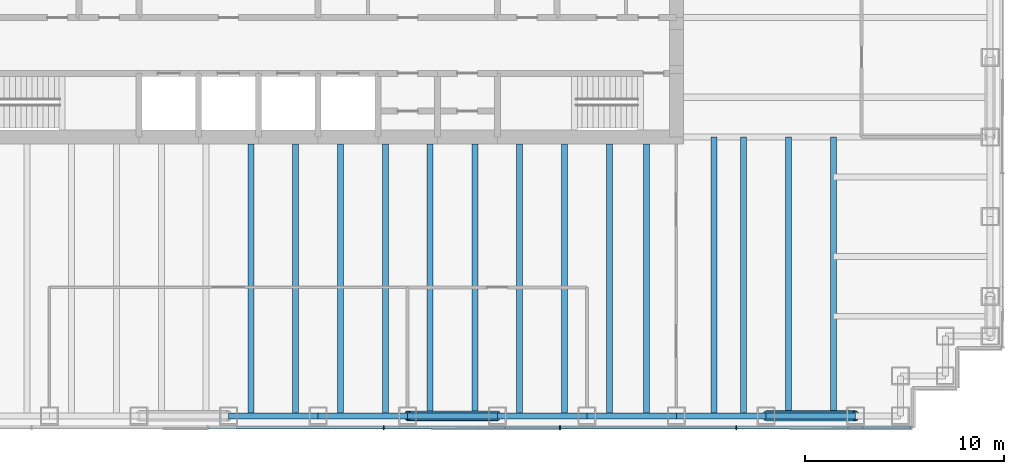
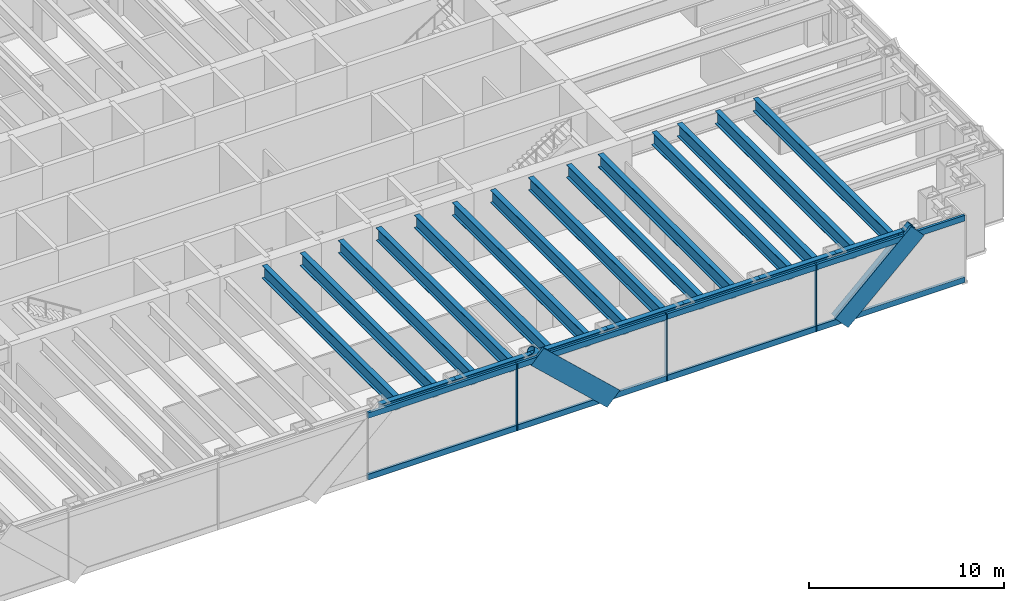
# One storey, part 4 of 15: 21 beams, 15 members, 1 element without a shape of its own.
"""IFC4 building model written with IfcOpenShell, lengths in metres."""

from ifc_helpers import new_model, si_unit, direction, frame, origin, origin_2d, place, context, subcontext, project, spatial, rectangle, hollow_circle, i_section, extrude, material, material_profile, profile_set, type_object, element, aggregate, save


model = new_model("IFC4")

# Units and contexts
model_context = context("Model", 3, precision=1e-05, world=origin(), true_north=direction((0.0, 1.0)))
body_context = subcontext(model_context, "Body", "Model", "MODEL_VIEW")
ifc_project = project(units=[si_unit("LENGTHUNIT", "METRE"), si_unit("AREAUNIT", "SQUARE_METRE"), si_unit("VOLUMEUNIT", "CUBIC_METRE"), si_unit("PLANEANGLEUNIT", "RADIAN"), si_unit("MASSUNIT", "GRAM", prefix="KILO")], contexts=[model_context])

# Site, building, storey
site_placement = place(None, origin())
site = spatial("IfcSite", under=ifc_project, at=site_placement, CompositionType="ELEMENT")
building_placement = place(site_placement, origin())
building = spatial("IfcBuilding", under=site, at=building_placement, Name="Rheinbord Bourse Tower", CompositionType="ELEMENT")
storey_placement = place(building_placement, frame((0.0, 0.0, 296.300048828125)))
storey = spatial("IfcBuildingStorey", under=building, at=storey_placement, Name="L67", CompositionType="ELEMENT", Elevation=296.300048828125)

# Curtain wall, members
ifc_material_1 = material(Name="Dark glass and black aluminium", Category="aluminium")
curtain_wall_type = type_object("IfcCurtainWallType", Name="CW3 DARK GLASS CURTAIN WALL", PredefinedType="USERDEFINED", material=ifc_material_1)
curtain_wall_placement = place(storey_placement, origin())
curtain_wall = element("IfcCurtainWall", 1, at=curtain_wall_placement, inside=storey, type_object=curtain_wall_type, Name="Curtain wall CW3 S L67", ObjectType="UNITISED CURTAIN WALL", PredefinedType="USERDEFINED")
ifc_material_2 = material(Name="Black anodised aluminium", Category="aluminium")
ifc_material_profile_1 = material_profile(ifc_material_2, rectangle(XDim=0.14990234375, YDim=1.10791015625, at=origin_2d()), Name="CW3 DIAGONAL MULLION 1108x150")
ifc_profile_set_1 = profile_set([ifc_material_profile_1], Name="Black anodised aluminium")
member_type_1 = type_object("IfcMemberType", Name="CW3 BLACK DIAGONAL MULLION", PredefinedType="USERDEFINED", material=ifc_profile_set_1)
member_1_placement = place(storey_placement, frame((58.5, 1.39990234375, 0.0), z_axis=(0.73105922506, 0.0, 0.682314010889), x_axis=(0.0, 1.0, 0.0)))
member_1 = element("IfcMember", 2, at=member_1_placement, type_object=member_type_1, Name="CW3 diagonal mullion a", ObjectType="DIAGONAL MULLION", PredefinedType="USERDEFINED", context=body_context, shape_type="SweptSolid", body=[
    extrude(rectangle(XDim=0.14990234375, YDim=1.10791015625, at=origin_2d()), origin(), (0.0, 0.0, 1.0), 6.155517578125),
])
member_2_placement = place(storey_placement, frame((45.0, 1.39990234375, 0.0), z_axis=(-0.73105922506, 0.0, 0.682314010889), x_axis=(0.0, -1.0, 0.0)))
member_2 = element("IfcMember", 3, at=member_2_placement, type_object=member_type_1, Name="CW3 diagonal mullion c", ObjectType="DIAGONAL MULLION", PredefinedType="USERDEFINED", context=body_context, shape_type="SweptSolid", body=[
    extrude(rectangle(XDim=0.14990234375, YDim=1.10791015625, at=origin_2d()), origin(), (0.0, 0.0, 1.0), 6.155517578125),
])
ifc_material_3 = material(Name="Black anodised aluminium", Category="aluminium")
ifc_material_profile_2 = material_profile(ifc_material_3, rectangle(XDim=0.199951171875, YDim=0.06494140625, at=origin_2d()), Name="CW3 MULLION 65x200")
ifc_profile_set_2 = profile_set([ifc_material_profile_2], Name="Black anodised aluminium")
member_type_2 = type_object("IfcMemberType", Name="CW3 BLACK MULLION", PredefinedType="MULLION", material=ifc_profile_set_2)
member_3_placement = place(storey_placement, frame((39.300048828125, 1.39990234375, 0.0), z_axis=(0.0, 0.0, 1.0), x_axis=(0.0, 1.0, 0.0)))
member_3 = element("IfcMember", 4, at=member_3_placement, type_object=member_type_2, Name="CW3 mullion 5", PredefinedType="MULLION", context=body_context, shape_type="SweptSolid", body=[
    extrude(rectangle(XDim=0.199951171875, YDim=0.06494140625, at=origin_2d()), origin(), (0.0, 0.0, 1.0), 4.199951171875),
])
member_4_placement = place(storey_placement, frame((48.14990234375, 1.39990234375, 0.0), z_axis=(0.0, 0.0, 1.0), x_axis=(0.0, 1.0, 0.0)))
member_4 = element("IfcMember", 5, at=member_4_placement, type_object=member_type_2, Name="CW3 mullion 6", PredefinedType="MULLION", context=body_context, shape_type="SweptSolid", body=[
    extrude(rectangle(XDim=0.199951171875, YDim=0.06494140625, at=origin_2d()), origin(), (0.0, 0.0, 1.0), 4.199951171875),
])
member_5_placement = place(storey_placement, frame((57.0, 1.39990234375, 0.0), z_axis=(0.0, 0.0, 1.0), x_axis=(0.0, 1.0, 0.0)))
member_5 = element("IfcMember", 6, at=member_5_placement, type_object=member_type_2, Name="CW3 mullion 7", PredefinedType="MULLION", context=body_context, shape_type="SweptSolid", body=[
    extrude(rectangle(XDim=0.199951171875, YDim=0.06494140625, at=origin_2d()), origin(), (0.0, 0.0, 1.0), 4.199951171875),
])
ifc_material_4 = material(Name="Black anodised aluminium", Category="aluminium")
ifc_material_profile_3 = material_profile(ifc_material_4, rectangle(XDim=0.14990234375, YDim=0.35009765625, at=origin_2d()), Name="CW3 TRANSOM 350x150")
ifc_profile_set_3 = profile_set([ifc_material_profile_3], Name="Black anodised aluminium")
member_type_3 = type_object("IfcMemberType", Name="CW3 BLACK TRANSOM", PredefinedType="USERDEFINED", material=ifc_profile_set_3)
member_6_placement = place(storey_placement, frame((30.482421875, 1.39990234375, 0.175048828125), z_axis=(1.0, 0.0, 0.0), x_axis=(0.0, 1.0, 0.0)))
member_6 = element("IfcMember", 7, at=member_6_placement, type_object=member_type_3, Name="CW3 transom 4.1", ObjectType="TRANSOM", PredefinedType="USERDEFINED", context=body_context, shape_type="SweptSolid", body=[
    extrude(rectangle(XDim=0.14990234375, YDim=0.35009765625, at=origin_2d()), origin(), (0.0, 0.0, 1.0), 8.78515625),
])
member_7_placement = place(storey_placement, frame((30.482421875, 1.39990234375, 4.02490234375), z_axis=(1.0, 0.0, 0.0), x_axis=(0.0, 1.0, 0.0)))
member_7 = element("IfcMember", 8, at=member_7_placement, type_object=member_type_3, Name="CW3 transom 4.2", ObjectType="TRANSOM", PredefinedType="USERDEFINED", context=body_context, shape_type="SweptSolid", body=[
    extrude(rectangle(XDim=0.14990234375, YDim=0.35009765625, at=origin_2d()), origin(), (0.0, 0.0, 1.0), 8.78515625),
])
member_8_placement = place(storey_placement, frame((39.33251953125, 1.39990234375, 0.175048828125), z_axis=(1.0, 0.0, 0.0), x_axis=(0.0, 1.0, 0.0)))
member_8 = element("IfcMember", 9, at=member_8_placement, type_object=member_type_3, Name="CW3 transom 5.1", ObjectType="TRANSOM", PredefinedType="USERDEFINED", context=body_context, shape_type="SweptSolid", body=[
    extrude(rectangle(XDim=0.14990234375, YDim=0.35009765625, at=origin_2d()), origin(), (0.0, 0.0, 1.0), 8.784912109375),
])
member_9_placement = place(storey_placement, frame((39.33251953125, 1.39990234375, 4.02490234375), z_axis=(1.0, 0.0, 0.0), x_axis=(0.0, 1.0, 0.0)))
member_9 = element("IfcMember", 10, at=member_9_placement, type_object=member_type_3, Name="CW3 transom 5.2", ObjectType="TRANSOM", PredefinedType="USERDEFINED", context=body_context, shape_type="SweptSolid", body=[
    extrude(rectangle(XDim=0.14990234375, YDim=0.35009765625, at=origin_2d()), origin(), (0.0, 0.0, 1.0), 8.784912109375),
])
member_10_placement = place(storey_placement, frame((48.1826171875, 1.39990234375, 0.175048828125), z_axis=(1.0, 0.0, 0.0), x_axis=(0.0, 1.0, 0.0)))
member_10 = element("IfcMember", 11, at=member_10_placement, type_object=member_type_3, Name="CW3 transom 6.1", ObjectType="TRANSOM", PredefinedType="USERDEFINED", context=body_context, shape_type="SweptSolid", body=[
    extrude(rectangle(XDim=0.14990234375, YDim=0.35009765625, at=origin_2d()), origin(), (0.0, 0.0, 1.0), 8.784912109375),
])
member_11_placement = place(storey_placement, frame((48.1826171875, 1.39990234375, 4.02490234375), z_axis=(1.0, 0.0, 0.0), x_axis=(0.0, 1.0, 0.0)))
member_11 = element("IfcMember", 12, at=member_11_placement, type_object=member_type_3, Name="CW3 transom 6.2", ObjectType="TRANSOM", PredefinedType="USERDEFINED", context=body_context, shape_type="SweptSolid", body=[
    extrude(rectangle(XDim=0.14990234375, YDim=0.35009765625, at=origin_2d()), origin(), (0.0, 0.0, 1.0), 8.784912109375),
])
member_12_placement = place(storey_placement, frame((57.032470703125, 1.39990234375, 0.175048828125), z_axis=(1.0, 0.0, 0.0), x_axis=(0.0, 1.0, 0.0)))
member_12 = element("IfcMember", 13, at=member_12_placement, type_object=member_type_3, Name="CW3 transom 7.1", ObjectType="TRANSOM", PredefinedType="USERDEFINED", context=body_context, shape_type="SweptSolid", body=[
    extrude(rectangle(XDim=0.14990234375, YDim=0.35009765625, at=origin_2d()), origin(), (0.0, 0.0, 1.0), 8.75244140625),
])
member_13_placement = place(storey_placement, frame((57.032470703125, 1.39990234375, 4.02490234375), z_axis=(1.0, 0.0, 0.0), x_axis=(0.0, 1.0, 0.0)))
member_13 = element("IfcMember", 14, at=member_13_placement, type_object=member_type_3, Name="CW3 transom 7.2", ObjectType="TRANSOM", PredefinedType="USERDEFINED", context=body_context, shape_type="SweptSolid", body=[
    extrude(rectangle(XDim=0.14990234375, YDim=0.35009765625, at=origin_2d()), origin(), (0.0, 0.0, 1.0), 8.75244140625),
])
aggregate(curtain_wall, [member_3, member_4, member_5, member_6, member_7, member_8, member_9, member_10, member_11, member_12, member_13, member_1, member_2])

# Beams
ifc_material_5 = material(Name="Steel S460", Category="steel")
ifc_material_profile_4 = material_profile(ifc_material_5, i_section(OverallWidth=0.300048828125, OverallDepth=0.800048828125, WebThickness=0.017578125, FlangeThickness=0.032958984375, at=origin_2d()), Name="HEB 800")
ifc_profile_set_4 = profile_set([ifc_material_profile_4], Name="Steel S460")
beam_type_1 = type_object("IfcBeamType", Name="FLOOR BEAM HEB 800", PredefinedType="BEAM", material=ifc_profile_set_4)
for number, where, z_axis, x_axis, name in (
    (15, (32.625, 2.0, 3.639892578125), (0.0, 1.0, 0.0), (-1.0, 0.0, 0.0), "Floor beam S-31.5a L68"),
    (16, (34.875, 2.0, 3.639892578125), (0.0, 1.0, 0.0), (-1.0, 0.0, 0.0), "Floor beam S-31.5b L68"),
    (17, (37.125, 2.0, 3.639892578125), (0.0, 1.0, 0.0), (-1.0, 0.0, 0.0), "Floor beam S-36a L68"),
    (18, (39.375, 2.0, 3.639892578125), (0.0, 1.0, 0.0), (-1.0, 0.0, 0.0), "Floor beam S-36b L68"),
    (19, (41.625, 2.0, 3.639892578125), (0.0, 1.0, 0.0), (-1.0, 0.0, 0.0), "Floor beam S-40.5a L68"),
    (20, (43.875, 2.0, 3.639892578125), (0.0, 1.0, 0.0), (-1.0, 0.0, 0.0), "Floor beam S-40.5b L68"),
    (21, (46.125, 2.0, 3.639892578125), (0.0, 1.0, 0.0), (-1.0, 0.0, 0.0), "Floor beam S-45a L68"),
    (22, (48.375, 2.0, 3.639892578125), (0.0, 1.0, 0.0), (-1.0, 0.0, 0.0), "Floor beam S-45b L68"),
    (23, (50.625, 2.0, 3.639892578125), (0.0, 1.0, 0.0), (-1.0, 0.0, 0.0), "Floor beam S-49.5a L68"),
    (24, (52.5, 2.0, 3.639892578125), (0.0, 1.0, 0.0), (-1.0, 0.0, 0.0), "Floor beam S-49.5b L68"),
):
    element("IfcBeam", number, at=place(storey_placement, frame(where, z_axis=z_axis, x_axis=x_axis)), inside=storey, type_object=beam_type_1, Name=name, PredefinedType="BEAM", context=body_context, shape_type="SweptSolid", body=[
        extrude(i_section(OverallWidth=0.300048828125, OverallDepth=0.800048828125, WebThickness=0.017578125, FlangeThickness=0.032958984375, at=origin_2d()), origin(), (0.0, 0.0, 1.0), 13.64990234375),
    ])
for number, where, z_axis, x_axis, name in (
    (25, (55.875, 2.0, 3.639892578125), (0.0, 1.0, 0.0), (-1.0, 0.0, 0.0), "Floor beam S-54a L68"),
    (26, (57.375, 2.0, 3.639892578125), (0.0, 1.0, 0.0), (-1.0, 0.0, 0.0), "Floor beam S-54b L68"),
    (27, (59.625, 2.0, 3.639892578125), (0.0, 1.0, 0.0), (-1.0, 0.0, 0.0), "Floor beam S-58.5a L68"),
    (28, (61.875, 2.0, 3.639892578125), (0.0, 1.0, 0.0), (-1.0, 0.0, 0.0), "Floor beam S-58.5b L68"),
):
    element("IfcBeam", number, at=place(storey_placement, frame(where, z_axis=z_axis, x_axis=x_axis)), inside=storey, type_object=beam_type_1, Name=name, PredefinedType="BEAM", context=body_context, shape_type="SweptSolid", body=[
        extrude(i_section(OverallWidth=0.300048828125, OverallDepth=0.800048828125, WebThickness=0.017578125, FlangeThickness=0.032958984375, at=origin_2d()), origin(), (0.0, 0.0, 1.0), 14.0),
    ])

# Members
ifc_material_6 = material(Name="Steel S460", Category="steel")
ifc_material_profile_5 = material_profile(ifc_material_6, hollow_circle(Radius=0.25390625, WallThickness=0.030029296875, at=origin_2d()), Name="CHS 508x30")
ifc_profile_set_5 = profile_set([ifc_material_profile_5], Name="Steel S460")
member_type_4 = type_object("IfcMemberType", Name="MEGABRACE CHS 508x30", PredefinedType="BRACE", material=ifc_profile_set_5)
for number, where, z_axis, x_axis, name in (
    (29, (58.5, 2.0, 0.0), (0.73105922506, 0.0, 0.682314010889), (0.0, 1.0, 0.0), "Megabrace S face line a L67"),
    (30, (45.0, 2.0, 0.0), (-0.73105922506, 0.0, 0.682314010889), (0.0, -1.0, 0.0), "Megabrace S face line c L67"),
):
    element("IfcMember", number, at=place(storey_placement, frame(where, z_axis=z_axis, x_axis=x_axis)), inside=storey, type_object=member_type_4, Name=name, PredefinedType="BRACE", context=body_context, shape_type="SweptSolid", body=[
        extrude(hollow_circle(Radius=0.25390625, WallThickness=0.030029296875, at=origin_2d()), origin(), (0.0, 0.0, 1.0), 6.155517578125),
    ])

# Beams
ifc_material_7 = material(Name="Steel S460", Category="steel")
ifc_material_profile_6 = material_profile(ifc_material_7, i_section(OverallWidth=0.300048828125, OverallDepth=0.550048828125, WebThickness=0.014892578125, FlangeThickness=0.029052734375, at=origin_2d()), Name="HEB 550")
ifc_profile_set_6 = profile_set([ifc_material_profile_6], Name="Steel S460")
beam_type_2 = type_object("IfcBeamType", Name="SPANDREL HEB 550", PredefinedType="SPANDREL", material=ifc_profile_set_6)
for number, where, z_axis, x_axis, name in (
    (31, (31.5, 2.0, 3.764892578125), (1.0, 0.0, 0.0), (0.0, 1.0, 0.0), "Spandrel S-31.5-S-36 under L68"),
    (32, (36.0, 2.0, 3.764892578125), (1.0, 0.0, 0.0), (0.0, 1.0, 0.0), "Spandrel S-36-S-40.5 under L68"),
    (33, (40.5, 2.0, 3.764892578125), (1.0, 0.0, 0.0), (0.0, 1.0, 0.0), "Spandrel S-40.5-S-45 under L68"),
    (34, (45.0, 2.0, 3.764892578125), (1.0, 0.0, 0.0), (0.0, 1.0, 0.0), "Spandrel S-45-S-49.5 under L68"),
    (35, (49.5, 2.0, 3.764892578125), (1.0, 0.0, 0.0), (0.0, 1.0, 0.0), "Spandrel S-49.5-S-54 under L68"),
    (36, (54.0, 2.0, 3.764892578125), (1.0, 0.0, 0.0), (0.0, 1.0, 0.0), "Spandrel S-54-S-58.5 under L68"),
    (37, (58.5, 2.0, 3.764892578125), (1.0, 0.0, 0.0), (0.0, 1.0, 0.0), "Spandrel S-58.5-S-63 under L68"),
):
    element("IfcBeam", number, at=place(storey_placement, frame(where, z_axis=z_axis, x_axis=x_axis)), inside=storey, type_object=beam_type_2, Name=name, PredefinedType="SPANDREL", context=body_context, shape_type="SweptSolid", body=[
        extrude(i_section(OverallWidth=0.300048828125, OverallDepth=0.550048828125, WebThickness=0.014892578125, FlangeThickness=0.029052734375, at=origin_2d()), origin(), (0.0, 0.0, 1.0), 4.5),
    ])

save(model, "model.ifc")
